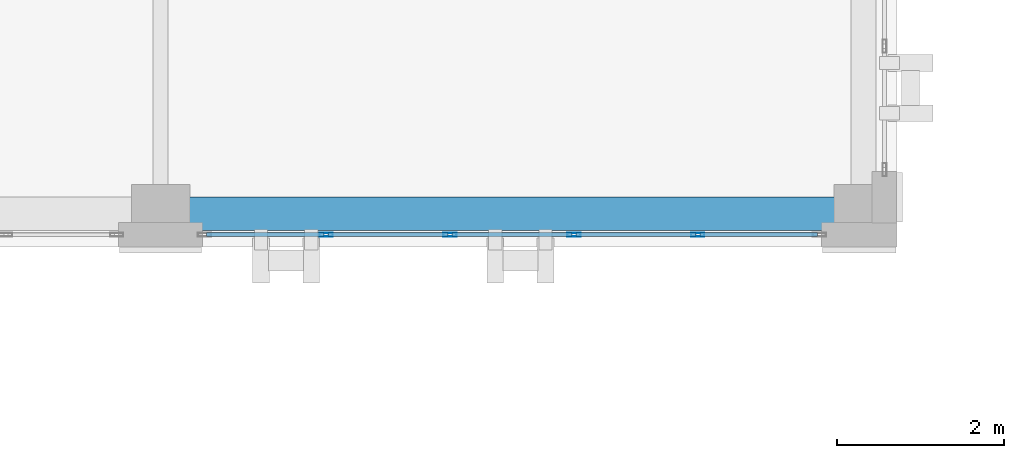
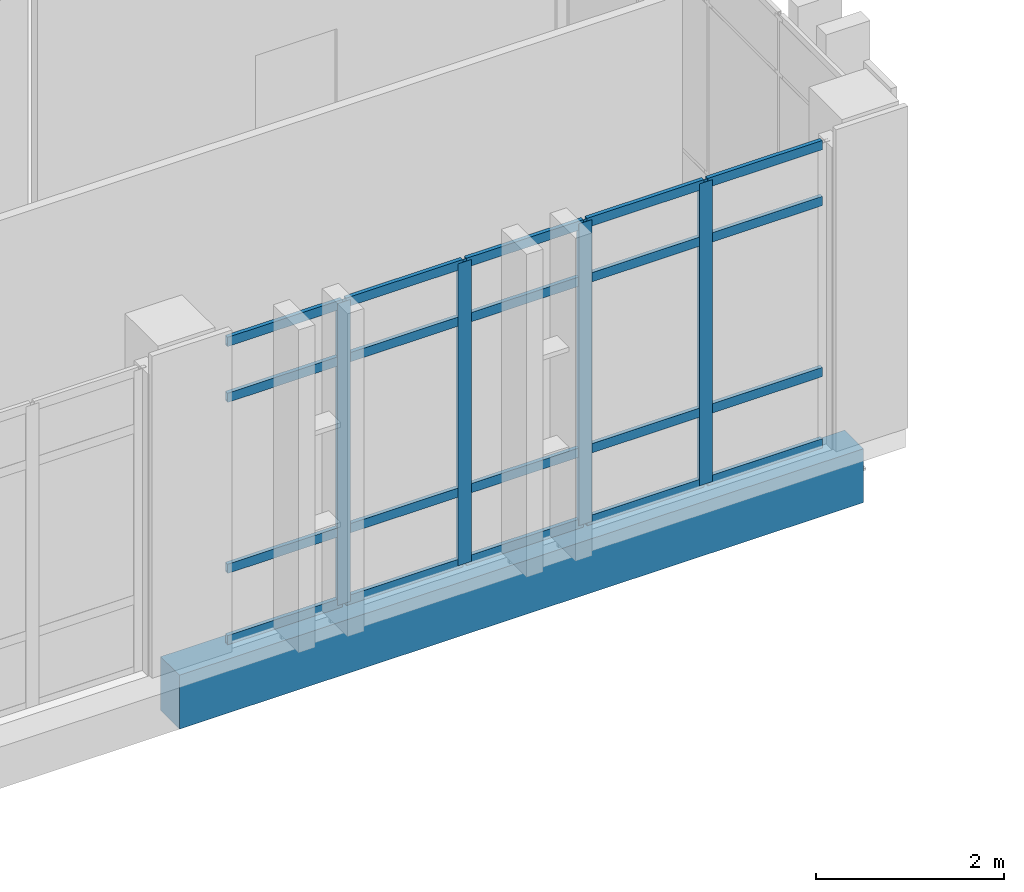
# One storey, part 84 of 165: 24 members, 1 beam, 1 element without a shape of its own.
"""IFC4 building model written with IfcOpenShell, lengths in metres."""

from ifc_helpers import new_model, si_unit, direction, frame, origin, origin_2d, place, context, subcontext, project, spatial, rectangle, hollow_rectangle, extrude, material, layer, layer_set, material_profile, profile_set, type_object, element, aggregate, save


model = new_model("IFC4")

# Units and contexts
model_context = context("Model", 3, precision=1e-05, world=origin(), true_north=direction((0.0, 1.0)))
body_context = subcontext(model_context, "Body", "Model", "MODEL_VIEW")
ifc_project = project(units=[si_unit("LENGTHUNIT", "METRE"), si_unit("AREAUNIT", "SQUARE_METRE"), si_unit("VOLUMEUNIT", "CUBIC_METRE"), si_unit("PLANEANGLEUNIT", "RADIAN"), si_unit("MASSUNIT", "GRAM", prefix="KILO")], contexts=[model_context])

# Site, building, storey
site_placement = place(None, origin())
site = spatial("IfcSite", under=ifc_project, at=site_placement, CompositionType="ELEMENT")
building_placement = place(site_placement, origin())
building = spatial("IfcBuilding", under=site, at=building_placement, Name="Qalavern Law Courts", CompositionType="ELEMENT")
storey_placement = place(building_placement, frame((0.0, 0.0, 14.39990234375)))
storey = spatial("IfcBuildingStorey", under=building, at=storey_placement, Name="L03", CompositionType="ELEMENT", Elevation=14.39990234375)

# Curtain wall, members
ifc_material_1 = material(Name="Anodised aluminium and insulated glazing", Category="aluminium")
ifc_layer = layer(ifc_material_1, 0.166015625)
ifc_layer_set = layer_set([ifc_layer], Name="Anodised aluminium and insulated glazing")
curtain_wall_type = type_object("IfcCurtainWallType", Name="ENV-CW-LIB", PredefinedType="USERDEFINED", material=ifc_layer_set)
curtain_wall_placement = place(storey_placement, origin())
curtain_wall = element("IfcCurtainWall", 1, at=curtain_wall_placement, inside=storey, type_object=curtain_wall_type, Name="V5 unitised curtain wall L03 south 6", ObjectType="UNITISED CURTAIN WALL", PredefinedType="USERDEFINED")
ifc_material_2 = material(Name="Anodised aluminium", Category="aluminium")
ifc_material_profile_1 = material_profile(ifc_material_2, hollow_rectangle(XDim=0.048095703125, YDim=0.159912109375, WallThickness=0.00390625, at=origin_2d()), Name="ALU MULLION 48x160")
ifc_profile_set_1 = profile_set([ifc_material_profile_1], Name="Anodised aluminium")
member_type_1 = type_object("IfcMemberType", Name="ENV-CWM-48x160", PredefinedType="MULLION", material=ifc_profile_set_1)
member_1_placement = place(storey_placement, frame((59.97998046875, 96.347412109375, 0.0), z_axis=(0.0, 0.0, 1.0), x_axis=(0.0, 1.0, 0.0)))
member_1 = element("IfcMember", 2, at=member_1_placement, type_object=member_type_1, Name="CW-05 mullion 2", PredefinedType="MULLION", context=body_context, shape_type="SweptSolid", body=[
    extrude(hollow_rectangle(XDim=0.048095703125, YDim=0.159912109375, WallThickness=0.00390625, at=origin_2d()), origin(), (0.0, 0.0, 1.0), 3.920166015625),
])
member_2_placement = place(storey_placement, frame((61.4599609375, 96.347412109375, 0.0), z_axis=(0.0, 0.0, 1.0), x_axis=(0.0, 1.0, 0.0)))
member_2 = element("IfcMember", 3, at=member_2_placement, type_object=member_type_1, Name="CW-05 mullion 3", PredefinedType="MULLION", context=body_context, shape_type="SweptSolid", body=[
    extrude(hollow_rectangle(XDim=0.048095703125, YDim=0.159912109375, WallThickness=0.00390625, at=origin_2d()), origin(), (0.0, 0.0, 1.0), 3.920166015625),
])
member_3_placement = place(storey_placement, frame((62.93994140625, 96.347412109375, 0.0), z_axis=(0.0, 0.0, 1.0), x_axis=(0.0, 1.0, 0.0)))
member_3 = element("IfcMember", 4, at=member_3_placement, type_object=member_type_1, Name="CW-05 mullion 4", PredefinedType="MULLION", context=body_context, shape_type="SweptSolid", body=[
    extrude(hollow_rectangle(XDim=0.048095703125, YDim=0.159912109375, WallThickness=0.00390625, at=origin_2d()), origin(), (0.0, 0.0, 1.0), 3.920166015625),
])
member_4_placement = place(storey_placement, frame((64.419921875, 96.347412109375, 0.0), z_axis=(0.0, 0.0, 1.0), x_axis=(0.0, 1.0, 0.0)))
member_4 = element("IfcMember", 5, at=member_4_placement, type_object=member_type_1, Name="CW-05 mullion 5", PredefinedType="MULLION", context=body_context, shape_type="SweptSolid", body=[
    extrude(hollow_rectangle(XDim=0.048095703125, YDim=0.159912109375, WallThickness=0.00390625, at=origin_2d()), origin(), (0.0, 0.0, 1.0), 3.920166015625),
])
ifc_material_profile_2 = material_profile(ifc_material_2, hollow_rectangle(XDim=0.048095703125, YDim=0.1201171875, WallThickness=0.00390625, at=origin_2d()), Name="ALU TRANSOM 48x120")
ifc_profile_set_2 = profile_set([ifc_material_profile_2], Name="Anodised aluminium")
member_type_2 = type_object("IfcMemberType", Name="ENV-CWT-48x120", PredefinedType="USERDEFINED", material=ifc_profile_set_2)
member_5_placement = place(storey_placement, frame((58.548095703125, 96.347412109375, 0.024169921875), z_axis=(1.0, 0.0, 0.0), x_axis=(0.0, 1.0, 0.0)))
member_5 = element("IfcMember", 6, at=member_5_placement, type_object=member_type_2, Name="CW-05 transom 1.1", ObjectType="TRANSOM", PredefinedType="USERDEFINED", context=body_context, shape_type="SweptSolid", body=[
    extrude(hollow_rectangle(XDim=0.048095703125, YDim=0.1201171875, WallThickness=0.00390625, at=origin_2d()), origin(), (0.0, 0.0, 1.0), 1.407958984375),
])
member_6_placement = place(storey_placement, frame((58.548095703125, 96.347412109375, 0.9501953125), z_axis=(1.0, 0.0, 0.0), x_axis=(0.0, 1.0, 0.0)))
member_6 = element("IfcMember", 7, at=member_6_placement, type_object=member_type_2, Name="CW-05 transom 1.2", ObjectType="TRANSOM", PredefinedType="USERDEFINED", context=body_context, shape_type="SweptSolid", body=[
    extrude(hollow_rectangle(XDim=0.048095703125, YDim=0.1201171875, WallThickness=0.00390625, at=origin_2d()), origin(), (0.0, 0.0, 1.0), 1.407958984375),
])
member_7_placement = place(storey_placement, frame((58.548095703125, 96.347412109375, 3.170166015625), z_axis=(1.0, 0.0, 0.0), x_axis=(0.0, 1.0, 0.0)))
member_7 = element("IfcMember", 8, at=member_7_placement, type_object=member_type_2, Name="CW-05 transom 1.3", ObjectType="TRANSOM", PredefinedType="USERDEFINED", context=body_context, shape_type="SweptSolid", body=[
    extrude(hollow_rectangle(XDim=0.048095703125, YDim=0.1201171875, WallThickness=0.00390625, at=origin_2d()), origin(), (0.0, 0.0, 1.0), 1.407958984375),
])
member_8_placement = place(storey_placement, frame((58.548095703125, 96.347412109375, 3.89599609375), z_axis=(1.0, 0.0, 0.0), x_axis=(0.0, 1.0, 0.0)))
member_8 = element("IfcMember", 9, at=member_8_placement, type_object=member_type_2, Name="CW-05 transom 1.4", ObjectType="TRANSOM", PredefinedType="USERDEFINED", context=body_context, shape_type="SweptSolid", body=[
    extrude(hollow_rectangle(XDim=0.048095703125, YDim=0.1201171875, WallThickness=0.00390625, at=origin_2d()), origin(), (0.0, 0.0, 1.0), 1.407958984375),
])
member_9_placement = place(storey_placement, frame((60.00390625, 96.347412109375, 0.024169921875), z_axis=(1.0, 0.0, 0.0), x_axis=(0.0, 1.0, 0.0)))
member_9 = element("IfcMember", 10, at=member_9_placement, type_object=member_type_2, Name="CW-05 transom 2.1", ObjectType="TRANSOM", PredefinedType="USERDEFINED", context=body_context, shape_type="SweptSolid", body=[
    extrude(hollow_rectangle(XDim=0.048095703125, YDim=0.1201171875, WallThickness=0.00390625, at=origin_2d()), origin(), (0.0, 0.0, 1.0), 1.43212890625),
])
member_10_placement = place(storey_placement, frame((60.00390625, 96.347412109375, 0.9501953125), z_axis=(1.0, 0.0, 0.0), x_axis=(0.0, 1.0, 0.0)))
member_10 = element("IfcMember", 11, at=member_10_placement, type_object=member_type_2, Name="CW-05 transom 2.2", ObjectType="TRANSOM", PredefinedType="USERDEFINED", context=body_context, shape_type="SweptSolid", body=[
    extrude(hollow_rectangle(XDim=0.048095703125, YDim=0.1201171875, WallThickness=0.00390625, at=origin_2d()), origin(), (0.0, 0.0, 1.0), 1.43212890625),
])
member_11_placement = place(storey_placement, frame((60.00390625, 96.347412109375, 3.170166015625), z_axis=(1.0, 0.0, 0.0), x_axis=(0.0, 1.0, 0.0)))
member_11 = element("IfcMember", 12, at=member_11_placement, type_object=member_type_2, Name="CW-05 transom 2.3", ObjectType="TRANSOM", PredefinedType="USERDEFINED", context=body_context, shape_type="SweptSolid", body=[
    extrude(hollow_rectangle(XDim=0.048095703125, YDim=0.1201171875, WallThickness=0.00390625, at=origin_2d()), origin(), (0.0, 0.0, 1.0), 1.43212890625),
])
member_12_placement = place(storey_placement, frame((60.00390625, 96.347412109375, 3.89599609375), z_axis=(1.0, 0.0, 0.0), x_axis=(0.0, 1.0, 0.0)))
member_12 = element("IfcMember", 13, at=member_12_placement, type_object=member_type_2, Name="CW-05 transom 2.4", ObjectType="TRANSOM", PredefinedType="USERDEFINED", context=body_context, shape_type="SweptSolid", body=[
    extrude(hollow_rectangle(XDim=0.048095703125, YDim=0.1201171875, WallThickness=0.00390625, at=origin_2d()), origin(), (0.0, 0.0, 1.0), 1.43212890625),
])
member_13_placement = place(storey_placement, frame((61.48388671875, 96.347412109375, 0.024169921875), z_axis=(1.0, 0.0, 0.0), x_axis=(0.0, 1.0, 0.0)))
member_13 = element("IfcMember", 14, at=member_13_placement, type_object=member_type_2, Name="CW-05 transom 3.1", ObjectType="TRANSOM", PredefinedType="USERDEFINED", context=body_context, shape_type="SweptSolid", body=[
    extrude(hollow_rectangle(XDim=0.048095703125, YDim=0.1201171875, WallThickness=0.00390625, at=origin_2d()), origin(), (0.0, 0.0, 1.0), 1.43212890625),
])
member_14_placement = place(storey_placement, frame((61.48388671875, 96.347412109375, 0.9501953125), z_axis=(1.0, 0.0, 0.0), x_axis=(0.0, 1.0, 0.0)))
member_14 = element("IfcMember", 15, at=member_14_placement, type_object=member_type_2, Name="CW-05 transom 3.2", ObjectType="TRANSOM", PredefinedType="USERDEFINED", context=body_context, shape_type="SweptSolid", body=[
    extrude(hollow_rectangle(XDim=0.048095703125, YDim=0.1201171875, WallThickness=0.00390625, at=origin_2d()), origin(), (0.0, 0.0, 1.0), 1.43212890625),
])
member_15_placement = place(storey_placement, frame((61.48388671875, 96.347412109375, 3.170166015625), z_axis=(1.0, 0.0, 0.0), x_axis=(0.0, 1.0, 0.0)))
member_15 = element("IfcMember", 16, at=member_15_placement, type_object=member_type_2, Name="CW-05 transom 3.3", ObjectType="TRANSOM", PredefinedType="USERDEFINED", context=body_context, shape_type="SweptSolid", body=[
    extrude(hollow_rectangle(XDim=0.048095703125, YDim=0.1201171875, WallThickness=0.00390625, at=origin_2d()), origin(), (0.0, 0.0, 1.0), 1.43212890625),
])
member_16_placement = place(storey_placement, frame((61.48388671875, 96.347412109375, 3.89599609375), z_axis=(1.0, 0.0, 0.0), x_axis=(0.0, 1.0, 0.0)))
member_16 = element("IfcMember", 17, at=member_16_placement, type_object=member_type_2, Name="CW-05 transom 3.4", ObjectType="TRANSOM", PredefinedType="USERDEFINED", context=body_context, shape_type="SweptSolid", body=[
    extrude(hollow_rectangle(XDim=0.048095703125, YDim=0.1201171875, WallThickness=0.00390625, at=origin_2d()), origin(), (0.0, 0.0, 1.0), 1.43212890625),
])
member_17_placement = place(storey_placement, frame((62.964111328125, 96.347412109375, 0.024169921875), z_axis=(1.0, 0.0, 0.0), x_axis=(0.0, 1.0, 0.0)))
member_17 = element("IfcMember", 18, at=member_17_placement, type_object=member_type_2, Name="CW-05 transom 4.1", ObjectType="TRANSOM", PredefinedType="USERDEFINED", context=body_context, shape_type="SweptSolid", body=[
    extrude(hollow_rectangle(XDim=0.048095703125, YDim=0.1201171875, WallThickness=0.00390625, at=origin_2d()), origin(), (0.0, 0.0, 1.0), 1.431884765625),
])
member_18_placement = place(storey_placement, frame((62.964111328125, 96.347412109375, 0.9501953125), z_axis=(1.0, 0.0, 0.0), x_axis=(0.0, 1.0, 0.0)))
member_18 = element("IfcMember", 19, at=member_18_placement, type_object=member_type_2, Name="CW-05 transom 4.2", ObjectType="TRANSOM", PredefinedType="USERDEFINED", context=body_context, shape_type="SweptSolid", body=[
    extrude(hollow_rectangle(XDim=0.048095703125, YDim=0.1201171875, WallThickness=0.00390625, at=origin_2d()), origin(), (0.0, 0.0, 1.0), 1.431884765625),
])
member_19_placement = place(storey_placement, frame((62.964111328125, 96.347412109375, 3.170166015625), z_axis=(1.0, 0.0, 0.0), x_axis=(0.0, 1.0, 0.0)))
member_19 = element("IfcMember", 20, at=member_19_placement, type_object=member_type_2, Name="CW-05 transom 4.3", ObjectType="TRANSOM", PredefinedType="USERDEFINED", context=body_context, shape_type="SweptSolid", body=[
    extrude(hollow_rectangle(XDim=0.048095703125, YDim=0.1201171875, WallThickness=0.00390625, at=origin_2d()), origin(), (0.0, 0.0, 1.0), 1.431884765625),
])
member_20_placement = place(storey_placement, frame((62.964111328125, 96.347412109375, 3.89599609375), z_axis=(1.0, 0.0, 0.0), x_axis=(0.0, 1.0, 0.0)))
member_20 = element("IfcMember", 21, at=member_20_placement, type_object=member_type_2, Name="CW-05 transom 4.4", ObjectType="TRANSOM", PredefinedType="USERDEFINED", context=body_context, shape_type="SweptSolid", body=[
    extrude(hollow_rectangle(XDim=0.048095703125, YDim=0.1201171875, WallThickness=0.00390625, at=origin_2d()), origin(), (0.0, 0.0, 1.0), 1.431884765625),
])
member_21_placement = place(storey_placement, frame((64.444091796875, 96.347412109375, 0.024169921875), z_axis=(1.0, 0.0, 0.0), x_axis=(0.0, 1.0, 0.0)))
member_21 = element("IfcMember", 22, at=member_21_placement, type_object=member_type_2, Name="CW-05 transom 5.1", ObjectType="TRANSOM", PredefinedType="USERDEFINED", context=body_context, shape_type="SweptSolid", body=[
    extrude(hollow_rectangle(XDim=0.048095703125, YDim=0.1201171875, WallThickness=0.00390625, at=origin_2d()), origin(), (0.0, 0.0, 1.0), 1.407958984375),
])
member_22_placement = place(storey_placement, frame((64.444091796875, 96.347412109375, 0.9501953125), z_axis=(1.0, 0.0, 0.0), x_axis=(0.0, 1.0, 0.0)))
member_22 = element("IfcMember", 23, at=member_22_placement, type_object=member_type_2, Name="CW-05 transom 5.2", ObjectType="TRANSOM", PredefinedType="USERDEFINED", context=body_context, shape_type="SweptSolid", body=[
    extrude(hollow_rectangle(XDim=0.048095703125, YDim=0.1201171875, WallThickness=0.00390625, at=origin_2d()), origin(), (0.0, 0.0, 1.0), 1.407958984375),
])
member_23_placement = place(storey_placement, frame((64.444091796875, 96.347412109375, 3.170166015625), z_axis=(1.0, 0.0, 0.0), x_axis=(0.0, 1.0, 0.0)))
member_23 = element("IfcMember", 24, at=member_23_placement, type_object=member_type_2, Name="CW-05 transom 5.3", ObjectType="TRANSOM", PredefinedType="USERDEFINED", context=body_context, shape_type="SweptSolid", body=[
    extrude(hollow_rectangle(XDim=0.048095703125, YDim=0.1201171875, WallThickness=0.00390625, at=origin_2d()), origin(), (0.0, 0.0, 1.0), 1.407958984375),
])
member_24_placement = place(storey_placement, frame((64.444091796875, 96.347412109375, 3.89599609375), z_axis=(1.0, 0.0, 0.0), x_axis=(0.0, 1.0, 0.0)))
member_24 = element("IfcMember", 25, at=member_24_placement, type_object=member_type_2, Name="CW-05 transom 5.4", ObjectType="TRANSOM", PredefinedType="USERDEFINED", context=body_context, shape_type="SweptSolid", body=[
    extrude(hollow_rectangle(XDim=0.048095703125, YDim=0.1201171875, WallThickness=0.00390625, at=origin_2d()), origin(), (0.0, 0.0, 1.0), 1.407958984375),
])
aggregate(curtain_wall, [member_1, member_2, member_3, member_4, member_5, member_6, member_7, member_8, member_9, member_10, member_11, member_12, member_13, member_14, member_15, member_16, member_17, member_18, member_19, member_20, member_21, member_22, member_23, member_24])

# Beam
ifc_material_3 = material(Name="Concrete C40/50", Category="concrete")
ifc_material_profile_3 = material_profile(ifc_material_3, rectangle(XDim=0.39990234375, YDim=0.699951171875, at=origin_2d()), Name="RC 400x700")
ifc_profile_set_3 = profile_set([ifc_material_profile_3], Name="Concrete C40/50")
beam_type = type_object("IfcBeamType", Name="STR-SP-RC400x700", PredefinedType="SPANDREL", material=ifc_profile_set_3)
beam_placement = place(storey_placement, frame((58.0, 96.60009765625, -0.635009765625), z_axis=(1.0, 0.0, 0.0), x_axis=(0.0, 1.0, 0.0)))
element("IfcBeam", 26, at=beam_placement, inside=storey, type_object=beam_type, Name="V5 X-beam 1-8 L03", PredefinedType="SPANDREL", context=body_context, shape_type="SweptSolid", body=[
    extrude(rectangle(XDim=0.39990234375, YDim=0.699951171875, at=origin_2d()), origin(), (0.0, 0.0, 1.0), 8.39990234375),
])

save(model, "model.ifc")
